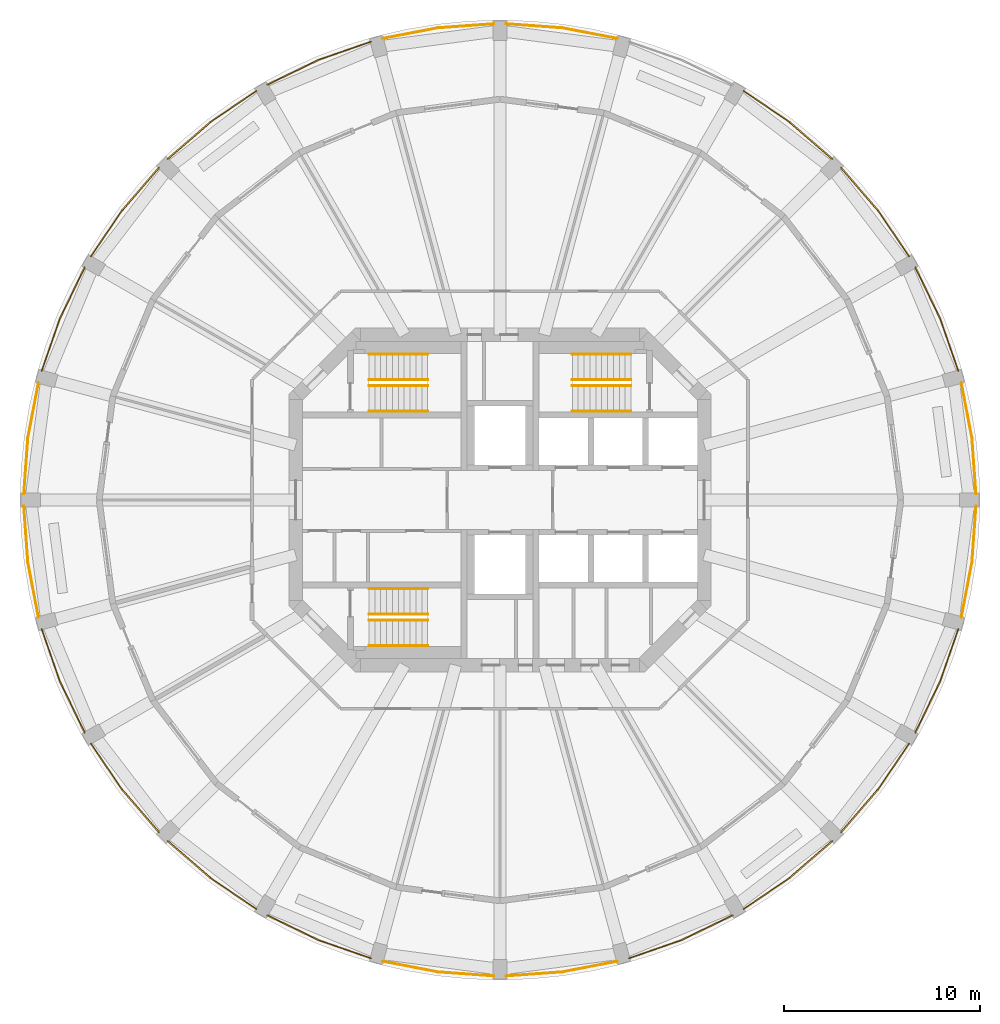
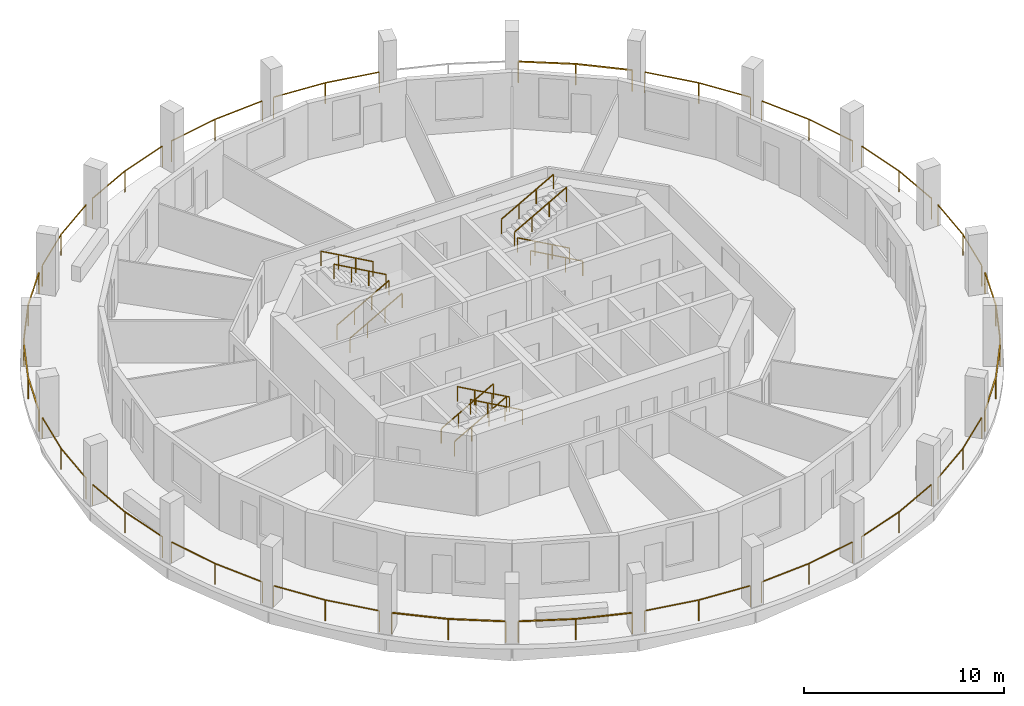
# One storey, part 8 of 9: 35 railings.
"""IFC4 building model written with IfcOpenShell, lengths in metres."""

from ifc_helpers import new_model, si_unit, direction, frame, origin, origin_2d, place, context, subcontext, project, spatial, rectangle, extrude, material, type_object, element, save


model = new_model("IFC4")

# Units and contexts
model_context = context("Model", 3, precision=1e-05, world=origin(), true_north=direction((0.0, 1.0)))
body_context = subcontext(model_context, "Body", "Model", "MODEL_VIEW")
ifc_project = project(units=[si_unit("LENGTHUNIT", "METRE"), si_unit("AREAUNIT", "SQUARE_METRE"), si_unit("VOLUMEUNIT", "CUBIC_METRE"), si_unit("PLANEANGLEUNIT", "RADIAN"), si_unit("MASSUNIT", "GRAM", prefix="KILO")], contexts=[model_context])

# Site, building, storey
site_placement = place(None, origin())
site = spatial("IfcSite", under=ifc_project, at=site_placement, CompositionType="ELEMENT")
building_placement = place(site_placement, origin())
building = spatial("IfcBuilding", under=site, at=building_placement, Name="Torre Triforio", CompositionType="ELEMENT")
storey_placement = place(building_placement, frame((0.0, 0.0, 240.89990234375)))
storey = spatial("IfcBuildingStorey", under=building, at=storey_placement, Name="L55", CompositionType="ELEMENT", Elevation=240.89990234375)

# Railings
ifc_material = material(Name="Stainless steel AISI 316", Category="steel")
railing_type_1 = type_object("IfcRailingType", Name="HANDRAIL 920", PredefinedType="HANDRAIL", material=ifc_material)
for number, where, name in (
    (1, (-6.699951171875, 4.550048828125, 0.168212890625), "Handrail ST1"),
    (2, (-6.699951171875, 5.85009765625, 0.168212890625), "Handrail ST1"),
):
    element("IfcRailing", number, at=place(storey_placement, frame(where)), inside=storey, type_object=railing_type_1, Name=name, PredefinedType="HANDRAIL", context=body_context, shape_type="SweptSolid", body=[
        extrude(rectangle(XDim=0.048095703125, YDim=0.048095703125, at=origin_2d()), frame((0.0, 0.0, 0.89599609375), z_axis=(0.872272294576, 0.0, 0.489020494575), x_axis=(0.0, 1.0, 0.0)), (0.0, 0.0, 1.0), 3.439208984375),
        extrude(rectangle(XDim=0.0419921875, YDim=0.0419921875, at=origin_2d()), origin(), (0.0, 0.0, 1.0), 0.871826171875),
        extrude(rectangle(XDim=0.0419921875, YDim=0.0419921875, at=origin_2d()), frame((1.0, 0.0, 0.560546875)), (0.0, 0.0, 1.0), 0.871826171875),
        extrude(rectangle(XDim=0.0419921875, YDim=0.0419921875, at=origin_2d()), frame((2.0, 0.0, 1.121337890625)), (0.0, 0.0, 1.0), 0.871826171875),
        extrude(rectangle(XDim=0.0419921875, YDim=0.0419921875, at=origin_2d()), frame((3.0, 0.0, 1.681884765625)), (0.0, 0.0, 1.0), 0.871826171875),
    ])
for number, where, name in (
    (3, (-3.699951171875, 7.449951171875, 2.018310546875), "Handrail ST1"),
    (4, (-3.699951171875, 6.14990234375, 2.018310546875), "Handrail ST1"),
    (5, (6.699951171875, 4.550048828125, 0.168212890625), "Handrail ST2"),
    (6, (6.699951171875, 5.85009765625, 0.168212890625), "Handrail ST2"),
):
    element("IfcRailing", number, at=place(storey_placement, frame(where)), inside=storey, type_object=railing_type_1, Name=name, PredefinedType="HANDRAIL", context=body_context, shape_type="SweptSolid", body=[
        extrude(rectangle(XDim=0.048095703125, YDim=0.048095703125, at=origin_2d()), frame((0.0, 0.0, 0.89599609375), z_axis=(-0.872272294576, 0.0, 0.489020494575), x_axis=(0.0, -1.0, 0.0)), (0.0, 0.0, 1.0), 3.439208984375),
        extrude(rectangle(XDim=0.0419921875, YDim=0.0419921875, at=origin_2d()), origin(), (0.0, 0.0, 1.0), 0.871826171875),
        extrude(rectangle(XDim=0.0419921875, YDim=0.0419921875, at=origin_2d()), frame((-1.0, 0.0, 0.560546875)), (0.0, 0.0, 1.0), 0.871826171875),
        extrude(rectangle(XDim=0.0419921875, YDim=0.0419921875, at=origin_2d()), frame((-2.0, 0.0, 1.121337890625)), (0.0, 0.0, 1.0), 0.871826171875),
        extrude(rectangle(XDim=0.0419921875, YDim=0.0419921875, at=origin_2d()), frame((-3.0, 0.0, 1.681884765625)), (0.0, 0.0, 1.0), 0.871826171875),
    ])
for number, where, name in (
    (7, (3.699951171875, 7.449951171875, 2.018310546875), "Handrail ST2"),
    (8, (3.699951171875, 6.14990234375, 2.018310546875), "Handrail ST2"),
    (9, (-6.699951171875, -4.550048828125, 0.168212890625), "Handrail ST3"),
    (10, (-6.699951171875, -5.85009765625, 0.168212890625), "Handrail ST3"),
):
    element("IfcRailing", number, at=place(storey_placement, frame(where)), inside=storey, type_object=railing_type_1, Name=name, PredefinedType="HANDRAIL", context=body_context, shape_type="SweptSolid", body=[
        extrude(rectangle(XDim=0.048095703125, YDim=0.048095703125, at=origin_2d()), frame((0.0, 0.0, 0.89599609375), z_axis=(0.872272294576, 0.0, 0.489020494575), x_axis=(0.0, 1.0, 0.0)), (0.0, 0.0, 1.0), 3.439208984375),
        extrude(rectangle(XDim=0.0419921875, YDim=0.0419921875, at=origin_2d()), origin(), (0.0, 0.0, 1.0), 0.871826171875),
        extrude(rectangle(XDim=0.0419921875, YDim=0.0419921875, at=origin_2d()), frame((1.0, 0.0, 0.560546875)), (0.0, 0.0, 1.0), 0.871826171875),
        extrude(rectangle(XDim=0.0419921875, YDim=0.0419921875, at=origin_2d()), frame((2.0, 0.0, 1.121337890625)), (0.0, 0.0, 1.0), 0.871826171875),
        extrude(rectangle(XDim=0.0419921875, YDim=0.0419921875, at=origin_2d()), frame((3.0, 0.0, 1.681884765625)), (0.0, 0.0, 1.0), 0.871826171875),
    ])
for number, where, name in (
    (11, (-3.699951171875, -7.449951171875, 2.018310546875), "Handrail ST3"),
    (12, (-3.699951171875, -6.14990234375, 2.018310546875), "Handrail ST3"),
):
    element("IfcRailing", number, at=place(storey_placement, frame(where)), inside=storey, type_object=railing_type_1, Name=name, PredefinedType="HANDRAIL", context=body_context, shape_type="SweptSolid", body=[
        extrude(rectangle(XDim=0.048095703125, YDim=0.048095703125, at=origin_2d()), frame((0.0, 0.0, 0.89599609375), z_axis=(-0.872272294576, 0.0, 0.489020494575), x_axis=(0.0, -1.0, 0.0)), (0.0, 0.0, 1.0), 3.439208984375),
        extrude(rectangle(XDim=0.0419921875, YDim=0.0419921875, at=origin_2d()), origin(), (0.0, 0.0, 1.0), 0.871826171875),
        extrude(rectangle(XDim=0.0419921875, YDim=0.0419921875, at=origin_2d()), frame((-1.0, 0.0, 0.560546875)), (0.0, 0.0, 1.0), 0.871826171875),
        extrude(rectangle(XDim=0.0419921875, YDim=0.0419921875, at=origin_2d()), frame((-2.0, 0.0, 1.121337890625)), (0.0, 0.0, 1.0), 0.871826171875),
        extrude(rectangle(XDim=0.0419921875, YDim=0.0419921875, at=origin_2d()), frame((-3.0, 0.0, 1.681884765625)), (0.0, 0.0, 1.0), 0.871826171875),
    ])
railing_type_2 = type_object("IfcRailingType", Name="Loggia guard 1300", PredefinedType="GUARDRAIL", material=ifc_material)
railing_1_placement = place(storey_placement, frame((24.35009765625, 0.320068359375, 0.0)))
element("IfcRailing", 13, at=railing_1_placement, inside=storey, type_object=railing_type_2, Name="Loggia guard L55 bay 01", PredefinedType="GUARDRAIL", context=body_context, shape_type="SweptSolid", body=[
    extrude(rectangle(XDim=0.050048828125, YDim=0.050048828125, at=origin_2d()), frame((0.0, 0.0, 1.27490234375), z_axis=(-0.072754488601, 0.997349880628, 0.0), x_axis=(-0.997349880628, -0.072754488601, 0.0)), (0.0, 0.0, 1.0), 2.86572265625),
    extrude(rectangle(XDim=0.050048828125, YDim=0.050048828125, at=origin_2d()), frame((-0.20849609375, 2.858154296875, 1.27490234375), z_axis=(-0.187918414449, 0.982184641252, 0.0), x_axis=(-0.982184641252, -0.187918414449, 0.0)), (0.0, 0.0, 1.0), 2.865966796875),
    extrude(rectangle(XDim=0.0400390625, YDim=0.0400390625, at=origin_2d()), origin(), (0.0, 0.0, 1.0), 1.25),
    extrude(rectangle(XDim=0.0400390625, YDim=0.0400390625, at=origin_2d()), frame((-0.20849609375, 2.858154296875, 0.0)), (0.0, 0.0, 1.0), 1.25),
    extrude(rectangle(XDim=0.0400390625, YDim=0.0400390625, at=origin_2d()), frame((-0.7470703125, 5.673095703125, 0.0)), (0.0, 0.0, 1.0), 1.25),
])
railing_2_placement = place(storey_placement, frame((23.4375, 6.611328125, 0.0)))
element("IfcRailing", 14, at=railing_2_placement, inside=storey, type_object=railing_type_2, Name="Loggia guard L55 bay 02", PredefinedType="GUARDRAIL", context=body_context, shape_type="SweptSolid", body=[
    extrude(rectangle(XDim=0.050048828125, YDim=0.050048828125, at=origin_2d()), frame((0.0, 0.0, 1.27490234375), z_axis=(-0.328315763022, 0.944568028123, 0.0), x_axis=(-0.944568028123, -0.328315763022, 0.0)), (0.0, 0.0, 1.0), 2.865966796875),
    extrude(rectangle(XDim=0.050048828125, YDim=0.050048828125, at=origin_2d()), frame((-0.94091796875, 2.70703125, 1.27490234375), z_axis=(-0.435727917358, 0.900078431046, 0.0), x_axis=(-0.900078431046, -0.435727917358, 0.0)), (0.0, 0.0, 1.0), 2.865966796875),
    extrude(rectangle(XDim=0.0400390625, YDim=0.0400390625, at=origin_2d()), origin(), (0.0, 0.0, 1.0), 1.25),
    extrude(rectangle(XDim=0.0400390625, YDim=0.0400390625, at=origin_2d()), frame((-0.94091796875, 2.70703125, 0.0)), (0.0, 0.0, 1.0), 1.25),
    extrude(rectangle(XDim=0.0400390625, YDim=0.0400390625, at=origin_2d()), frame((-2.189697265625, 5.28662109375, 0.0)), (0.0, 0.0, 1.0), 1.25),
])
railing_3_placement = place(storey_placement, frame((20.927734375, 12.4521484375, 0.0)))
element("IfcRailing", 15, at=railing_3_placement, inside=storey, type_object=railing_type_2, Name="Loggia guard L55 bay 03", PredefinedType="GUARDRAIL", context=body_context, shape_type="SweptSolid", body=[
    extrude(rectangle(XDim=0.050048828125, YDim=0.050048828125, at=origin_2d()), frame((0.0, 0.0, 1.27490234375), z_axis=(-0.561659735558, 0.827368322727, 0.0), x_axis=(-0.827368322727, -0.561659735558, 0.0)), (0.0, 0.0, 1.0), 2.86572265625),
    extrude(rectangle(XDim=0.050048828125, YDim=0.050048828125, at=origin_2d()), frame((-1.609619140625, 2.37109375, 1.27490234375), z_axis=(-0.653823896404, 0.756646755422, 0.0), x_axis=(-0.756646755422, -0.653823896404, 0.0)), (0.0, 0.0, 1.0), 2.865966796875),
    extrude(rectangle(XDim=0.0400390625, YDim=0.0400390625, at=origin_2d()), origin(), (0.0, 0.0, 1.0), 1.25),
    extrude(rectangle(XDim=0.0400390625, YDim=0.0400390625, at=origin_2d()), frame((-1.609619140625, 2.37109375, 0.0)), (0.0, 0.0, 1.0), 1.25),
    extrude(rectangle(XDim=0.0400390625, YDim=0.0400390625, at=origin_2d()), frame((-3.4833984375, 4.53955078125, 0.0)), (0.0, 0.0, 1.0), 1.25),
])
railing_4_placement = place(storey_placement, frame((16.99169921875, 17.4443359375, 0.0)))
element("IfcRailing", 16, at=railing_4_placement, inside=storey, type_object=railing_type_2, Name="Loggia guard L55 bay 04", PredefinedType="GUARDRAIL", context=body_context, shape_type="SweptSolid", body=[
    extrude(rectangle(XDim=0.050048828125, YDim=0.050048828125, at=origin_2d()), frame((0.0, 0.0, 1.27490234375), z_axis=(-0.756646755422, 0.653823896404, 0.0), x_axis=(-0.653823896404, -0.756646755422, 0.0)), (0.0, 0.0, 1.0), 2.865966796875),
    extrude(rectangle(XDim=0.050048828125, YDim=0.050048828125, at=origin_2d()), frame((-2.16845703125, 1.873779296875, 1.27490234375), z_axis=(-0.827368322727, 0.561659735558, 0.0), x_axis=(-0.561659735558, -0.827368322727, 0.0)), (0.0, 0.0, 1.0), 2.86572265625),
    extrude(rectangle(XDim=0.0400390625, YDim=0.0400390625, at=origin_2d()), origin(), (0.0, 0.0, 1.0), 1.25),
    extrude(rectangle(XDim=0.0400390625, YDim=0.0400390625, at=origin_2d()), frame((-2.16845703125, 1.873779296875, 0.0)), (0.0, 0.0, 1.0), 1.25),
    extrude(rectangle(XDim=0.0400390625, YDim=0.0400390625, at=origin_2d()), frame((-4.53955078125, 3.4833984375, 0.0)), (0.0, 0.0, 1.0), 1.25),
])
railing_5_placement = place(storey_placement, frame((5.9931640625, 23.60302734375, 0.0)))
element("IfcRailing", 17, at=railing_5_placement, inside=storey, type_object=railing_type_2, Name="Loggia guard L55 bay 06", PredefinedType="GUARDRAIL", context=body_context, shape_type="SweptSolid", body=[
    extrude(rectangle(XDim=0.050048828125, YDim=0.050048828125, at=origin_2d()), frame((0.0, 0.0, 1.27490234375), z_axis=(-0.982184641252, 0.187918414449, 0.0), x_axis=(-0.187918414449, -0.982184641252, 0.0)), (0.0, 0.0, 1.0), 2.865966796875),
    extrude(rectangle(XDim=0.050048828125, YDim=0.050048828125, at=origin_2d()), frame((-2.81494140625, 0.53857421875, 1.27490234375), z_axis=(-0.997349880628, 0.072754488601, 0.0), x_axis=(-0.072754488601, -0.997349880628, 0.0)), (0.0, 0.0, 1.0), 2.86572265625),
    extrude(rectangle(XDim=0.0400390625, YDim=0.0400390625, at=origin_2d()), origin(), (0.0, 0.0, 1.0), 1.25),
    extrude(rectangle(XDim=0.0400390625, YDim=0.0400390625, at=origin_2d()), frame((-2.81494140625, 0.53857421875, 0.0)), (0.0, 0.0, 1.0), 1.25),
    extrude(rectangle(XDim=0.0400390625, YDim=0.0400390625, at=origin_2d()), frame((-5.673095703125, 0.7470703125, 0.0)), (0.0, 0.0, 1.0), 1.25),
])
railing_6_placement = place(storey_placement, frame((-0.320068359375, 24.35009765625, 0.0)))
element("IfcRailing", 18, at=railing_6_placement, inside=storey, type_object=railing_type_2, Name="Loggia guard L55 bay 07", PredefinedType="GUARDRAIL", context=body_context, shape_type="SweptSolid", body=[
    extrude(rectangle(XDim=0.050048828125, YDim=0.050048828125, at=origin_2d()), frame((0.0, 0.0, 1.27490234375), z_axis=(-0.997349880628, -0.072754488601, 0.0), x_axis=(0.072754488601, -0.997349880628, 0.0)), (0.0, 0.0, 1.0), 2.86572265625),
    extrude(rectangle(XDim=0.050048828125, YDim=0.050048828125, at=origin_2d()), frame((-2.858154296875, -0.20849609375, 1.27490234375), z_axis=(-0.982184641252, -0.187918414449, 0.0), x_axis=(0.187918414449, -0.982184641252, 0.0)), (0.0, 0.0, 1.0), 2.865966796875),
    extrude(rectangle(XDim=0.0400390625, YDim=0.0400390625, at=origin_2d()), origin(), (0.0, 0.0, 1.0), 1.25),
    extrude(rectangle(XDim=0.0400390625, YDim=0.0400390625, at=origin_2d()), frame((-2.858154296875, -0.20849609375, 0.0)), (0.0, 0.0, 1.0), 1.25),
    extrude(rectangle(XDim=0.0400390625, YDim=0.0400390625, at=origin_2d()), frame((-5.673095703125, -0.7470703125, 0.0)), (0.0, 0.0, 1.0), 1.25),
])
railing_7_placement = place(storey_placement, frame((-6.611328125, 23.4375, 0.0)))
element("IfcRailing", 19, at=railing_7_placement, inside=storey, type_object=railing_type_2, Name="Loggia guard L55 bay 08", PredefinedType="GUARDRAIL", context=body_context, shape_type="SweptSolid", body=[
    extrude(rectangle(XDim=0.050048828125, YDim=0.050048828125, at=origin_2d()), frame((0.0, 0.0, 1.27490234375), z_axis=(-0.944568028123, -0.328315763022, 0.0), x_axis=(0.328315763022, -0.944568028123, 0.0)), (0.0, 0.0, 1.0), 2.865966796875),
    extrude(rectangle(XDim=0.050048828125, YDim=0.050048828125, at=origin_2d()), frame((-2.70703125, -0.94091796875, 1.27490234375), z_axis=(-0.900078431046, -0.435727917358, 0.0), x_axis=(0.435727917358, -0.900078431046, 0.0)), (0.0, 0.0, 1.0), 2.865966796875),
    extrude(rectangle(XDim=0.0400390625, YDim=0.0400390625, at=origin_2d()), origin(), (0.0, 0.0, 1.0), 1.25),
    extrude(rectangle(XDim=0.0400390625, YDim=0.0400390625, at=origin_2d()), frame((-2.70703125, -0.94091796875, 0.0)), (0.0, 0.0, 1.0), 1.25),
    extrude(rectangle(XDim=0.0400390625, YDim=0.0400390625, at=origin_2d()), frame((-5.28662109375, -2.189697265625, 0.0)), (0.0, 0.0, 1.0), 1.25),
])
railing_8_placement = place(storey_placement, frame((-12.4521484375, 20.927734375, 0.0)))
element("IfcRailing", 20, at=railing_8_placement, inside=storey, type_object=railing_type_2, Name="Loggia guard L55 bay 09", PredefinedType="GUARDRAIL", context=body_context, shape_type="SweptSolid", body=[
    extrude(rectangle(XDim=0.050048828125, YDim=0.050048828125, at=origin_2d()), frame((0.0, 0.0, 1.27490234375), z_axis=(-0.827368322727, -0.561659735558, 0.0), x_axis=(0.561659735558, -0.827368322727, 0.0)), (0.0, 0.0, 1.0), 2.86572265625),
    extrude(rectangle(XDim=0.050048828125, YDim=0.050048828125, at=origin_2d()), frame((-2.37109375, -1.609619140625, 1.27490234375), z_axis=(-0.756646755422, -0.653823896404, 0.0), x_axis=(0.653823896404, -0.756646755422, 0.0)), (0.0, 0.0, 1.0), 2.865966796875),
    extrude(rectangle(XDim=0.0400390625, YDim=0.0400390625, at=origin_2d()), origin(), (0.0, 0.0, 1.0), 1.25),
    extrude(rectangle(XDim=0.0400390625, YDim=0.0400390625, at=origin_2d()), frame((-2.37109375, -1.609619140625, 0.0)), (0.0, 0.0, 1.0), 1.25),
    extrude(rectangle(XDim=0.0400390625, YDim=0.0400390625, at=origin_2d()), frame((-4.53955078125, -3.4833984375, 0.0)), (0.0, 0.0, 1.0), 1.25),
])
railing_9_placement = place(storey_placement, frame((-17.4443359375, 16.99169921875, 0.0)))
element("IfcRailing", 21, at=railing_9_placement, inside=storey, type_object=railing_type_2, Name="Loggia guard L55 bay 10", PredefinedType="GUARDRAIL", context=body_context, shape_type="SweptSolid", body=[
    extrude(rectangle(XDim=0.050048828125, YDim=0.050048828125, at=origin_2d()), frame((0.0, 0.0, 1.27490234375), z_axis=(-0.653823896404, -0.756646755422, 0.0), x_axis=(0.756646755422, -0.653823896404, 0.0)), (0.0, 0.0, 1.0), 2.865966796875),
    extrude(rectangle(XDim=0.050048828125, YDim=0.050048828125, at=origin_2d()), frame((-1.873779296875, -2.16845703125, 1.27490234375), z_axis=(-0.561659735558, -0.827368322727, 0.0), x_axis=(0.827368322727, -0.561659735558, 0.0)), (0.0, 0.0, 1.0), 2.86572265625),
    extrude(rectangle(XDim=0.0400390625, YDim=0.0400390625, at=origin_2d()), origin(), (0.0, 0.0, 1.0), 1.25),
    extrude(rectangle(XDim=0.0400390625, YDim=0.0400390625, at=origin_2d()), frame((-1.873779296875, -2.16845703125, 0.0)), (0.0, 0.0, 1.0), 1.25),
    extrude(rectangle(XDim=0.0400390625, YDim=0.0400390625, at=origin_2d()), frame((-3.4833984375, -4.53955078125, 0.0)), (0.0, 0.0, 1.0), 1.25),
])
railing_10_placement = place(storey_placement, frame((-21.247802734375, 11.89794921875, 0.0)))
element("IfcRailing", 22, at=railing_10_placement, inside=storey, type_object=railing_type_2, Name="Loggia guard L55 bay 11", PredefinedType="GUARDRAIL", context=body_context, shape_type="SweptSolid", body=[
    extrude(rectangle(XDim=0.050048828125, YDim=0.050048828125, at=origin_2d()), frame((0.0, 0.0, 1.27490234375), z_axis=(-0.435727917358, -0.900078431046, 0.0), x_axis=(0.900078431046, -0.435727917358, 0.0)), (0.0, 0.0, 1.0), 2.865966796875),
    extrude(rectangle(XDim=0.050048828125, YDim=0.050048828125, at=origin_2d()), frame((-1.248779296875, -2.57958984375, 1.27490234375), z_axis=(-0.328315763022, -0.944568028123, 0.0), x_axis=(0.944568028123, -0.328315763022, 0.0)), (0.0, 0.0, 1.0), 2.865966796875),
    extrude(rectangle(XDim=0.0400390625, YDim=0.0400390625, at=origin_2d()), origin(), (0.0, 0.0, 1.0), 1.25),
    extrude(rectangle(XDim=0.0400390625, YDim=0.0400390625, at=origin_2d()), frame((-1.248779296875, -2.57958984375, 0.0)), (0.0, 0.0, 1.0), 1.25),
    extrude(rectangle(XDim=0.0400390625, YDim=0.0400390625, at=origin_2d()), frame((-2.189697265625, -5.28662109375, 0.0)), (0.0, 0.0, 1.0), 1.25),
])
railing_11_placement = place(storey_placement, frame((-23.60302734375, 5.9931640625, 0.0)))
element("IfcRailing", 23, at=railing_11_placement, inside=storey, type_object=railing_type_2, Name="Loggia guard L55 bay 12", PredefinedType="GUARDRAIL", context=body_context, shape_type="SweptSolid", body=[
    extrude(rectangle(XDim=0.050048828125, YDim=0.050048828125, at=origin_2d()), frame((0.0, 0.0, 1.27490234375), z_axis=(-0.187918414449, -0.982184641252, 0.0), x_axis=(0.982184641252, -0.187918414449, 0.0)), (0.0, 0.0, 1.0), 2.865966796875),
    extrude(rectangle(XDim=0.050048828125, YDim=0.050048828125, at=origin_2d()), frame((-0.53857421875, -2.81494140625, 1.27490234375), z_axis=(-0.072754488601, -0.997349880628, 0.0), x_axis=(0.997349880628, -0.072754488601, 0.0)), (0.0, 0.0, 1.0), 2.86572265625),
    extrude(rectangle(XDim=0.0400390625, YDim=0.0400390625, at=origin_2d()), origin(), (0.0, 0.0, 1.0), 1.25),
    extrude(rectangle(XDim=0.0400390625, YDim=0.0400390625, at=origin_2d()), frame((-0.53857421875, -2.81494140625, 0.0)), (0.0, 0.0, 1.0), 1.25),
    extrude(rectangle(XDim=0.0400390625, YDim=0.0400390625, at=origin_2d()), frame((-0.7470703125, -5.673095703125, 0.0)), (0.0, 0.0, 1.0), 1.25),
])
railing_12_placement = place(storey_placement, frame((-24.35009765625, -0.320068359375, 0.0)))
element("IfcRailing", 24, at=railing_12_placement, inside=storey, type_object=railing_type_2, Name="Loggia guard L55 bay 13", PredefinedType="GUARDRAIL", context=body_context, shape_type="SweptSolid", body=[
    extrude(rectangle(XDim=0.050048828125, YDim=0.050048828125, at=origin_2d()), frame((0.0, 0.0, 1.27490234375), z_axis=(0.072754488601, -0.997349880628, 0.0), x_axis=(0.997349880628, 0.072754488601, 0.0)), (0.0, 0.0, 1.0), 2.86572265625),
    extrude(rectangle(XDim=0.050048828125, YDim=0.050048828125, at=origin_2d()), frame((0.20849609375, -2.858154296875, 1.27490234375), z_axis=(0.187918414449, -0.982184641252, 0.0), x_axis=(0.982184641252, 0.187918414449, 0.0)), (0.0, 0.0, 1.0), 2.865966796875),
    extrude(rectangle(XDim=0.0400390625, YDim=0.0400390625, at=origin_2d()), origin(), (0.0, 0.0, 1.0), 1.25),
    extrude(rectangle(XDim=0.0400390625, YDim=0.0400390625, at=origin_2d()), frame((0.20849609375, -2.858154296875, 0.0)), (0.0, 0.0, 1.0), 1.25),
    extrude(rectangle(XDim=0.0400390625, YDim=0.0400390625, at=origin_2d()), frame((0.7470703125, -5.673095703125, 0.0)), (0.0, 0.0, 1.0), 1.25),
])
railing_13_placement = place(storey_placement, frame((-23.4375, -6.611328125, 0.0)))
element("IfcRailing", 25, at=railing_13_placement, inside=storey, type_object=railing_type_2, Name="Loggia guard L55 bay 14", PredefinedType="GUARDRAIL", context=body_context, shape_type="SweptSolid", body=[
    extrude(rectangle(XDim=0.050048828125, YDim=0.050048828125, at=origin_2d()), frame((0.0, 0.0, 1.27490234375), z_axis=(0.328315763022, -0.944568028123, 0.0), x_axis=(0.944568028123, 0.328315763022, 0.0)), (0.0, 0.0, 1.0), 2.865966796875),
    extrude(rectangle(XDim=0.050048828125, YDim=0.050048828125, at=origin_2d()), frame((0.94091796875, -2.70703125, 1.27490234375), z_axis=(0.435727917358, -0.900078431046, 0.0), x_axis=(0.900078431046, 0.435727917358, 0.0)), (0.0, 0.0, 1.0), 2.865966796875),
    extrude(rectangle(XDim=0.0400390625, YDim=0.0400390625, at=origin_2d()), origin(), (0.0, 0.0, 1.0), 1.25),
    extrude(rectangle(XDim=0.0400390625, YDim=0.0400390625, at=origin_2d()), frame((0.94091796875, -2.70703125, 0.0)), (0.0, 0.0, 1.0), 1.25),
    extrude(rectangle(XDim=0.0400390625, YDim=0.0400390625, at=origin_2d()), frame((2.189697265625, -5.28662109375, 0.0)), (0.0, 0.0, 1.0), 1.25),
])
railing_14_placement = place(storey_placement, frame((-20.927734375, -12.4521484375, 0.0)))
element("IfcRailing", 26, at=railing_14_placement, inside=storey, type_object=railing_type_2, Name="Loggia guard L55 bay 15", PredefinedType="GUARDRAIL", context=body_context, shape_type="SweptSolid", body=[
    extrude(rectangle(XDim=0.050048828125, YDim=0.050048828125, at=origin_2d()), frame((0.0, 0.0, 1.27490234375), z_axis=(0.561659735558, -0.827368322727, 0.0), x_axis=(0.827368322727, 0.561659735558, 0.0)), (0.0, 0.0, 1.0), 2.86572265625),
    extrude(rectangle(XDim=0.050048828125, YDim=0.050048828125, at=origin_2d()), frame((1.609619140625, -2.37109375, 1.27490234375), z_axis=(0.653823896404, -0.756646755422, 0.0), x_axis=(0.756646755422, 0.653823896404, 0.0)), (0.0, 0.0, 1.0), 2.865966796875),
    extrude(rectangle(XDim=0.0400390625, YDim=0.0400390625, at=origin_2d()), origin(), (0.0, 0.0, 1.0), 1.25),
    extrude(rectangle(XDim=0.0400390625, YDim=0.0400390625, at=origin_2d()), frame((1.609619140625, -2.37109375, 0.0)), (0.0, 0.0, 1.0), 1.25),
    extrude(rectangle(XDim=0.0400390625, YDim=0.0400390625, at=origin_2d()), frame((3.4833984375, -4.53955078125, 0.0)), (0.0, 0.0, 1.0), 1.25),
])
railing_15_placement = place(storey_placement, frame((-16.99169921875, -17.4443359375, 0.0)))
element("IfcRailing", 27, at=railing_15_placement, inside=storey, type_object=railing_type_2, Name="Loggia guard L55 bay 16", PredefinedType="GUARDRAIL", context=body_context, shape_type="SweptSolid", body=[
    extrude(rectangle(XDim=0.050048828125, YDim=0.050048828125, at=origin_2d()), frame((0.0, 0.0, 1.27490234375), z_axis=(0.756646755422, -0.653823896404, 0.0), x_axis=(0.653823896404, 0.756646755422, 0.0)), (0.0, 0.0, 1.0), 2.865966796875),
    extrude(rectangle(XDim=0.050048828125, YDim=0.050048828125, at=origin_2d()), frame((2.16845703125, -1.873779296875, 1.27490234375), z_axis=(0.827368322727, -0.561659735558, 0.0), x_axis=(0.561659735558, 0.827368322727, 0.0)), (0.0, 0.0, 1.0), 2.86572265625),
    extrude(rectangle(XDim=0.0400390625, YDim=0.0400390625, at=origin_2d()), origin(), (0.0, 0.0, 1.0), 1.25),
    extrude(rectangle(XDim=0.0400390625, YDim=0.0400390625, at=origin_2d()), frame((2.16845703125, -1.873779296875, 0.0)), (0.0, 0.0, 1.0), 1.25),
    extrude(rectangle(XDim=0.0400390625, YDim=0.0400390625, at=origin_2d()), frame((4.53955078125, -3.4833984375, 0.0)), (0.0, 0.0, 1.0), 1.25),
])
railing_16_placement = place(storey_placement, frame((-11.89794921875, -21.247802734375, 0.0)))
element("IfcRailing", 28, at=railing_16_placement, inside=storey, type_object=railing_type_2, Name="Loggia guard L55 bay 17", PredefinedType="GUARDRAIL", context=body_context, shape_type="SweptSolid", body=[
    extrude(rectangle(XDim=0.050048828125, YDim=0.050048828125, at=origin_2d()), frame((0.0, 0.0, 1.27490234375), z_axis=(0.900078431046, -0.435727917358, 0.0), x_axis=(0.435727917358, 0.900078431046, 0.0)), (0.0, 0.0, 1.0), 2.865966796875),
    extrude(rectangle(XDim=0.050048828125, YDim=0.050048828125, at=origin_2d()), frame((2.57958984375, -1.248779296875, 1.27490234375), z_axis=(0.944568028123, -0.328315763022, 0.0), x_axis=(0.328315763022, 0.944568028123, 0.0)), (0.0, 0.0, 1.0), 2.865966796875),
    extrude(rectangle(XDim=0.0400390625, YDim=0.0400390625, at=origin_2d()), origin(), (0.0, 0.0, 1.0), 1.25),
    extrude(rectangle(XDim=0.0400390625, YDim=0.0400390625, at=origin_2d()), frame((2.57958984375, -1.248779296875, 0.0)), (0.0, 0.0, 1.0), 1.25),
    extrude(rectangle(XDim=0.0400390625, YDim=0.0400390625, at=origin_2d()), frame((5.28662109375, -2.189697265625, 0.0)), (0.0, 0.0, 1.0), 1.25),
])
railing_17_placement = place(storey_placement, frame((-5.9931640625, -23.60302734375, 0.0)))
element("IfcRailing", 29, at=railing_17_placement, inside=storey, type_object=railing_type_2, Name="Loggia guard L55 bay 18", PredefinedType="GUARDRAIL", context=body_context, shape_type="SweptSolid", body=[
    extrude(rectangle(XDim=0.050048828125, YDim=0.050048828125, at=origin_2d()), frame((0.0, 0.0, 1.27490234375), z_axis=(0.982184641252, -0.187918414449, 0.0), x_axis=(0.187918414449, 0.982184641252, 0.0)), (0.0, 0.0, 1.0), 2.865966796875),
    extrude(rectangle(XDim=0.050048828125, YDim=0.050048828125, at=origin_2d()), frame((2.81494140625, -0.53857421875, 1.27490234375), z_axis=(0.997349880628, -0.072754488601, 0.0), x_axis=(0.072754488601, 0.997349880628, 0.0)), (0.0, 0.0, 1.0), 2.86572265625),
    extrude(rectangle(XDim=0.0400390625, YDim=0.0400390625, at=origin_2d()), origin(), (0.0, 0.0, 1.0), 1.25),
    extrude(rectangle(XDim=0.0400390625, YDim=0.0400390625, at=origin_2d()), frame((2.81494140625, -0.53857421875, 0.0)), (0.0, 0.0, 1.0), 1.25),
    extrude(rectangle(XDim=0.0400390625, YDim=0.0400390625, at=origin_2d()), frame((5.673095703125, -0.7470703125, 0.0)), (0.0, 0.0, 1.0), 1.25),
])
railing_18_placement = place(storey_placement, frame((0.320068359375, -24.35009765625, 0.0)))
element("IfcRailing", 30, at=railing_18_placement, inside=storey, type_object=railing_type_2, Name="Loggia guard L55 bay 19", PredefinedType="GUARDRAIL", context=body_context, shape_type="SweptSolid", body=[
    extrude(rectangle(XDim=0.050048828125, YDim=0.050048828125, at=origin_2d()), frame((0.0, 0.0, 1.27490234375), z_axis=(0.997349880628, 0.072754488601, 0.0), x_axis=(-0.072754488601, 0.997349880628, 0.0)), (0.0, 0.0, 1.0), 2.86572265625),
    extrude(rectangle(XDim=0.050048828125, YDim=0.050048828125, at=origin_2d()), frame((2.858154296875, 0.20849609375, 1.27490234375), z_axis=(0.982184641252, 0.187918414449, 0.0), x_axis=(-0.187918414449, 0.982184641252, 0.0)), (0.0, 0.0, 1.0), 2.865966796875),
    extrude(rectangle(XDim=0.0400390625, YDim=0.0400390625, at=origin_2d()), origin(), (0.0, 0.0, 1.0), 1.25),
    extrude(rectangle(XDim=0.0400390625, YDim=0.0400390625, at=origin_2d()), frame((2.858154296875, 0.20849609375, 0.0)), (0.0, 0.0, 1.0), 1.25),
    extrude(rectangle(XDim=0.0400390625, YDim=0.0400390625, at=origin_2d()), frame((5.673095703125, 0.7470703125, 0.0)), (0.0, 0.0, 1.0), 1.25),
])
railing_19_placement = place(storey_placement, frame((6.611328125, -23.4375, 0.0)))
element("IfcRailing", 31, at=railing_19_placement, inside=storey, type_object=railing_type_2, Name="Loggia guard L55 bay 20", PredefinedType="GUARDRAIL", context=body_context, shape_type="SweptSolid", body=[
    extrude(rectangle(XDim=0.050048828125, YDim=0.050048828125, at=origin_2d()), frame((0.0, 0.0, 1.27490234375), z_axis=(0.944568028123, 0.328315763022, 0.0), x_axis=(-0.328315763022, 0.944568028123, 0.0)), (0.0, 0.0, 1.0), 2.865966796875),
    extrude(rectangle(XDim=0.050048828125, YDim=0.050048828125, at=origin_2d()), frame((2.70703125, 0.94091796875, 1.27490234375), z_axis=(0.900078431046, 0.435727917358, 0.0), x_axis=(-0.435727917358, 0.900078431046, 0.0)), (0.0, 0.0, 1.0), 2.865966796875),
    extrude(rectangle(XDim=0.0400390625, YDim=0.0400390625, at=origin_2d()), origin(), (0.0, 0.0, 1.0), 1.25),
    extrude(rectangle(XDim=0.0400390625, YDim=0.0400390625, at=origin_2d()), frame((2.70703125, 0.94091796875, 0.0)), (0.0, 0.0, 1.0), 1.25),
    extrude(rectangle(XDim=0.0400390625, YDim=0.0400390625, at=origin_2d()), frame((5.28662109375, 2.189697265625, 0.0)), (0.0, 0.0, 1.0), 1.25),
])
railing_20_placement = place(storey_placement, frame((12.4521484375, -20.927734375, 0.0)))
element("IfcRailing", 32, at=railing_20_placement, inside=storey, type_object=railing_type_2, Name="Loggia guard L55 bay 21", PredefinedType="GUARDRAIL", context=body_context, shape_type="SweptSolid", body=[
    extrude(rectangle(XDim=0.050048828125, YDim=0.050048828125, at=origin_2d()), frame((0.0, 0.0, 1.27490234375), z_axis=(0.827368322727, 0.561659735558, 0.0), x_axis=(-0.561659735558, 0.827368322727, 0.0)), (0.0, 0.0, 1.0), 2.86572265625),
    extrude(rectangle(XDim=0.050048828125, YDim=0.050048828125, at=origin_2d()), frame((2.37109375, 1.609619140625, 1.27490234375), z_axis=(0.756646755422, 0.653823896404, 0.0), x_axis=(-0.653823896404, 0.756646755422, 0.0)), (0.0, 0.0, 1.0), 2.865966796875),
    extrude(rectangle(XDim=0.0400390625, YDim=0.0400390625, at=origin_2d()), origin(), (0.0, 0.0, 1.0), 1.25),
    extrude(rectangle(XDim=0.0400390625, YDim=0.0400390625, at=origin_2d()), frame((2.37109375, 1.609619140625, 0.0)), (0.0, 0.0, 1.0), 1.25),
    extrude(rectangle(XDim=0.0400390625, YDim=0.0400390625, at=origin_2d()), frame((4.53955078125, 3.4833984375, 0.0)), (0.0, 0.0, 1.0), 1.25),
])
railing_21_placement = place(storey_placement, frame((17.4443359375, -16.99169921875, 0.0)))
element("IfcRailing", 33, at=railing_21_placement, inside=storey, type_object=railing_type_2, Name="Loggia guard L55 bay 22", PredefinedType="GUARDRAIL", context=body_context, shape_type="SweptSolid", body=[
    extrude(rectangle(XDim=0.050048828125, YDim=0.050048828125, at=origin_2d()), frame((0.0, 0.0, 1.27490234375), z_axis=(0.653823896404, 0.756646755422, 0.0), x_axis=(-0.756646755422, 0.653823896404, 0.0)), (0.0, 0.0, 1.0), 2.865966796875),
    extrude(rectangle(XDim=0.050048828125, YDim=0.050048828125, at=origin_2d()), frame((1.873779296875, 2.16845703125, 1.27490234375), z_axis=(0.561659735558, 0.827368322727, 0.0), x_axis=(-0.827368322727, 0.561659735558, 0.0)), (0.0, 0.0, 1.0), 2.86572265625),
    extrude(rectangle(XDim=0.0400390625, YDim=0.0400390625, at=origin_2d()), origin(), (0.0, 0.0, 1.0), 1.25),
    extrude(rectangle(XDim=0.0400390625, YDim=0.0400390625, at=origin_2d()), frame((1.873779296875, 2.16845703125, 0.0)), (0.0, 0.0, 1.0), 1.25),
    extrude(rectangle(XDim=0.0400390625, YDim=0.0400390625, at=origin_2d()), frame((3.4833984375, 4.53955078125, 0.0)), (0.0, 0.0, 1.0), 1.25),
])
railing_22_placement = place(storey_placement, frame((21.247802734375, -11.89794921875, 0.0)))
element("IfcRailing", 34, at=railing_22_placement, inside=storey, type_object=railing_type_2, Name="Loggia guard L55 bay 23", PredefinedType="GUARDRAIL", context=body_context, shape_type="SweptSolid", body=[
    extrude(rectangle(XDim=0.050048828125, YDim=0.050048828125, at=origin_2d()), frame((0.0, 0.0, 1.27490234375), z_axis=(0.435727917358, 0.900078431046, 0.0), x_axis=(-0.900078431046, 0.435727917358, 0.0)), (0.0, 0.0, 1.0), 2.865966796875),
    extrude(rectangle(XDim=0.050048828125, YDim=0.050048828125, at=origin_2d()), frame((1.248779296875, 2.57958984375, 1.27490234375), z_axis=(0.328315763022, 0.944568028123, 0.0), x_axis=(-0.944568028123, 0.328315763022, 0.0)), (0.0, 0.0, 1.0), 2.865966796875),
    extrude(rectangle(XDim=0.0400390625, YDim=0.0400390625, at=origin_2d()), origin(), (0.0, 0.0, 1.0), 1.25),
    extrude(rectangle(XDim=0.0400390625, YDim=0.0400390625, at=origin_2d()), frame((1.248779296875, 2.57958984375, 0.0)), (0.0, 0.0, 1.0), 1.25),
    extrude(rectangle(XDim=0.0400390625, YDim=0.0400390625, at=origin_2d()), frame((2.189697265625, 5.28662109375, 0.0)), (0.0, 0.0, 1.0), 1.25),
])
railing_23_placement = place(storey_placement, frame((23.60302734375, -5.9931640625, 0.0)))
element("IfcRailing", 35, at=railing_23_placement, inside=storey, type_object=railing_type_2, Name="Loggia guard L55 bay 24", PredefinedType="GUARDRAIL", context=body_context, shape_type="SweptSolid", body=[
    extrude(rectangle(XDim=0.050048828125, YDim=0.050048828125, at=origin_2d()), frame((0.0, 0.0, 1.27490234375), z_axis=(0.187918414449, 0.982184641252, 0.0), x_axis=(-0.982184641252, 0.187918414449, 0.0)), (0.0, 0.0, 1.0), 2.865966796875),
    extrude(rectangle(XDim=0.050048828125, YDim=0.050048828125, at=origin_2d()), frame((0.53857421875, 2.81494140625, 1.27490234375), z_axis=(0.072754488601, 0.997349880628, 0.0), x_axis=(-0.997349880628, 0.072754488601, 0.0)), (0.0, 0.0, 1.0), 2.86572265625),
    extrude(rectangle(XDim=0.0400390625, YDim=0.0400390625, at=origin_2d()), origin(), (0.0, 0.0, 1.0), 1.25),
    extrude(rectangle(XDim=0.0400390625, YDim=0.0400390625, at=origin_2d()), frame((0.53857421875, 2.81494140625, 0.0)), (0.0, 0.0, 1.0), 1.25),
    extrude(rectangle(XDim=0.0400390625, YDim=0.0400390625, at=origin_2d()), frame((0.7470703125, 5.673095703125, 0.0)), (0.0, 0.0, 1.0), 1.25),
])

save(model, "model.ifc")
